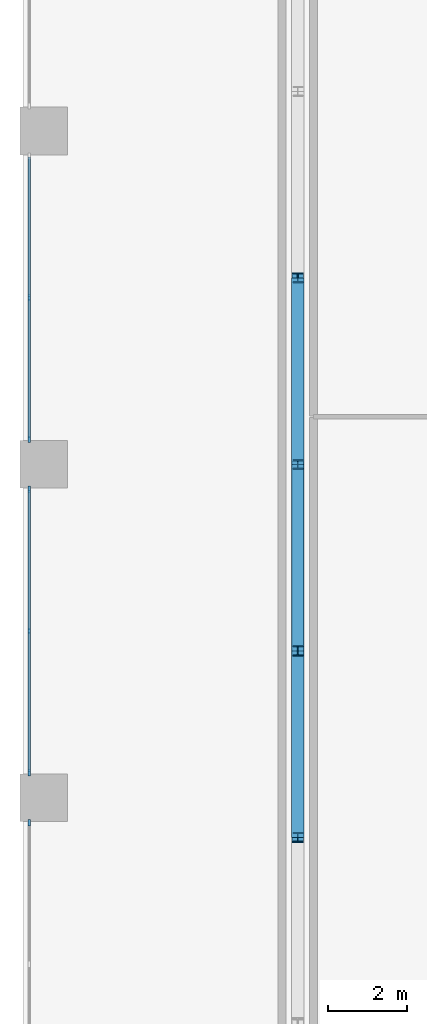
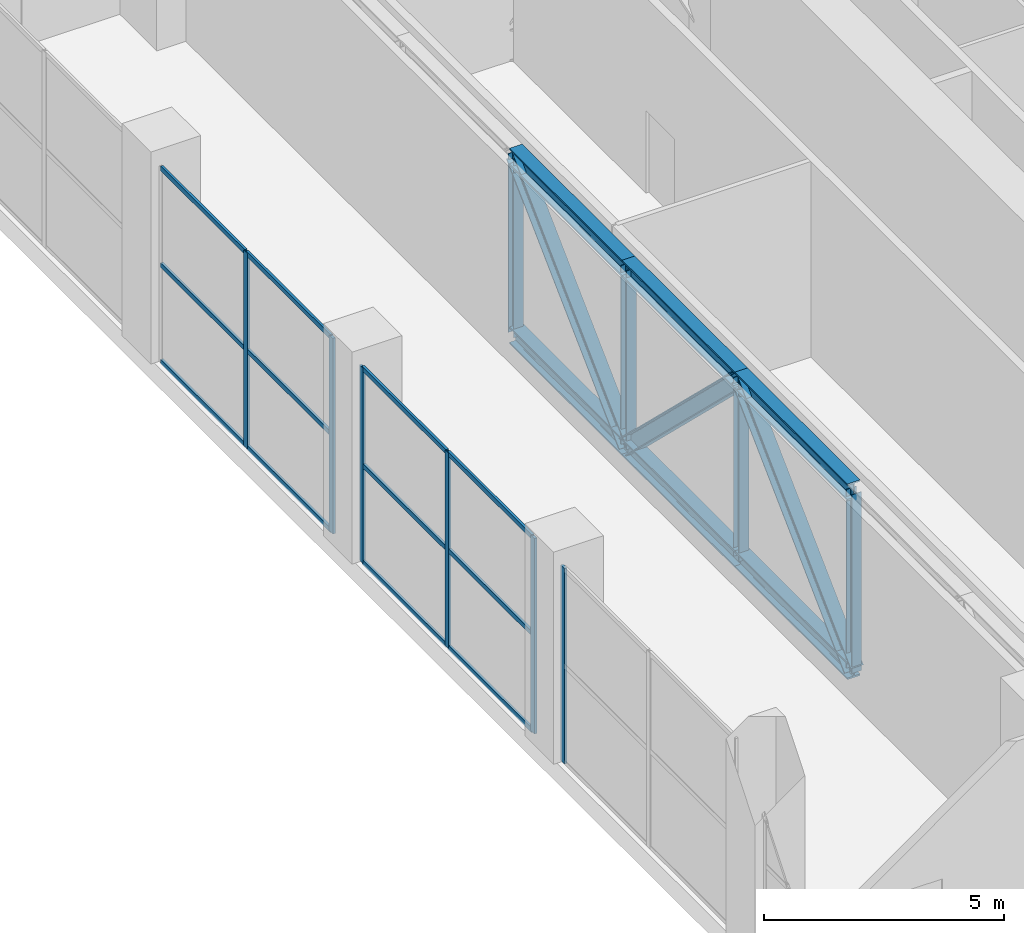
# One storey, part 4 of 21: 31 members, 3 elements without a shape of their own.
"""IFC4 building model written with IfcOpenShell, lengths in metres."""

from ifc_helpers import new_model, si_unit, direction, frame, origin, origin_2d, place, context, subcontext, project, spatial, rectangle, i_section, extrude, material, material_profile, profile_set, type_object, element, aggregate, save


model = new_model("IFC4")

# Units and contexts
model_context = context("Model", 3, precision=1e-05, world=origin(), true_north=direction((0.0, 1.0)))
body_context = subcontext(model_context, "Body", "Model", "MODEL_VIEW")
ifc_project = project(units=[si_unit("LENGTHUNIT", "METRE"), si_unit("AREAUNIT", "SQUARE_METRE"), si_unit("VOLUMEUNIT", "CUBIC_METRE"), si_unit("PLANEANGLEUNIT", "RADIAN"), si_unit("MASSUNIT", "GRAM", prefix="KILO")], contexts=[model_context])

# Site, building, storey
site_placement = place(None, origin())
site = spatial("IfcSite", under=ifc_project, at=site_placement, CompositionType="ELEMENT")
building_placement = place(site_placement, origin())
building = spatial("IfcBuilding", under=site, at=building_placement, Name="Khepri Terraces", CompositionType="ELEMENT")
storey_placement = place(building_placement, frame((0.0, 0.0, 235.199951171875)))
storey = spatial("IfcBuildingStorey", under=building, at=storey_placement, Name="L56", CompositionType="ELEMENT", Elevation=235.199951171875)

# Members
ifc_material_1 = material(Name="Steel S355", Category="steel")
ifc_material_profile_1 = material_profile(ifc_material_1, i_section(OverallWidth=0.306884765625, OverallDepth=0.431884765625, WebThickness=0.02099609375, FlangeThickness=0.0400390625, FilletRadius=0.027099609375, at=origin_2d()), Name="Steel S355", Category="steel")
ifc_profile_set_1 = profile_set([ifc_material_profile_1], Name="Steel S355")
member_type_1 = type_object("IfcMemberType", Name="Belt truss chord HEM 400", PredefinedType="CHORD", material=ifc_profile_set_1)
for number, where, z_axis, x_axis, name in (
    (1, (-18.800048828125, 4.699951171875, 0.216064453125), (0.0, -1.0, 0.0), (1.0, 0.0, 0.0), "Belt truss chord BT-56-W bottom 4"),
    (2, (-18.800048828125, 4.699951171875, 4.76416015625), (0.0, -1.0, 0.0), (1.0, 0.0, 0.0), "Belt truss chord BT-56-W top 4"),
    (3, (-18.800048828125, 0.0, 0.216064453125), (0.0, -1.0, 0.0), (1.0, 0.0, 0.0), "Belt truss chord BT-56-W bottom 5"),
    (4, (-18.800048828125, 0.0, 4.76416015625), (0.0, -1.0, 0.0), (1.0, 0.0, 0.0), "Belt truss chord BT-56-W top 5"),
    (5, (-18.800048828125, -4.699951171875, 0.216064453125), (0.0, -1.0, 0.0), (1.0, 0.0, 0.0), "Belt truss chord BT-56-W bottom 6"),
    (6, (-18.800048828125, -4.699951171875, 4.76416015625), (0.0, -1.0, 0.0), (1.0, 0.0, 0.0), "Belt truss chord BT-56-W top 6"),
):
    element("IfcMember", number, at=place(storey_placement, frame(where, z_axis=z_axis, x_axis=x_axis)), inside=storey, type_object=member_type_1, Name=name, PredefinedType="CHORD", context=body_context, shape_type="SweptSolid", body=[
        extrude(i_section(OverallWidth=0.306884765625, OverallDepth=0.431884765625, WebThickness=0.02099609375, FlangeThickness=0.0400390625, FilletRadius=0.027099609375, at=origin_2d()), origin(), (0.0, 0.0, 1.0), 4.699951171875),
    ])
ifc_material_profile_2 = material_profile(ifc_material_1, i_section(OverallWidth=0.300048828125, OverallDepth=0.39990234375, WebThickness=0.013427734375, FlangeThickness=0.02392578125, FilletRadius=0.027099609375, at=origin_2d()), Name="Steel S355", Category="steel")
ifc_profile_set_2 = profile_set([ifc_material_profile_2], Name="Steel S355")
member_type_2 = type_object("IfcMemberType", Name="Belt truss diagonal HEB 400", PredefinedType="BRACE", material=ifc_profile_set_2)
for number, where, z_axis, x_axis, name in (
    (7, (-18.800048828125, 4.699951171875, 4.76416015625), (0.0, -0.718620795984, -0.695402150974), (1.0, 0.0, 0.0), "Belt truss diagonal BT-56-W 4"),
    (8, (-18.800048828125, 0.0, 0.216064453125), (0.0, -0.718620795984, 0.695402150974), (1.0, 0.0, 0.0), "Belt truss diagonal BT-56-W 5"),
    (9, (-18.800048828125, -4.699951171875, 4.76416015625), (0.0, -0.718620795984, -0.695402150974), (1.0, 0.0, 0.0), "Belt truss diagonal BT-56-W 6"),
):
    element("IfcMember", number, at=place(storey_placement, frame(where, z_axis=z_axis, x_axis=x_axis)), inside=storey, type_object=member_type_2, Name=name, PredefinedType="BRACE", context=body_context, shape_type="SweptSolid", body=[
        extrude(i_section(OverallWidth=0.300048828125, OverallDepth=0.39990234375, WebThickness=0.013427734375, FlangeThickness=0.02392578125, FilletRadius=0.027099609375, at=origin_2d()), origin(), (0.0, 0.0, 1.0), 6.540283203125),
    ])
ifc_material_profile_3 = material_profile(ifc_material_1, i_section(OverallWidth=0.239990234375, OverallDepth=0.239990234375, WebThickness=0.010009765625, FlangeThickness=0.01708984375, FilletRadius=0.02099609375, at=origin_2d()), Name="Steel S355", Category="steel")
ifc_profile_set_3 = profile_set([ifc_material_profile_3], Name="Steel S355")
member_type_3 = type_object("IfcMemberType", Name="Belt truss post HEB 240", PredefinedType="POST", material=ifc_profile_set_3)
for number, where, z_axis, x_axis, name in (
    (10, (-18.800048828125, 4.699951171875, 0.216064453125), (0.0, 0.0, 1.0), (1.0, 0.0, 0.0), "Belt truss post BT-56-W 3"),
    (11, (-18.800048828125, 0.0, 0.216064453125), (0.0, 0.0, 1.0), (1.0, 0.0, 0.0), "Belt truss post BT-56-W 4"),
    (12, (-18.800048828125, -4.699951171875, 0.216064453125), (0.0, 0.0, 1.0), (1.0, 0.0, 0.0), "Belt truss post BT-56-W 5"),
    (13, (-18.800048828125, -9.39990234375, 0.216064453125), (0.0, 0.0, 1.0), (1.0, 0.0, 0.0), "Belt truss post BT-56-W 6"),
):
    element("IfcMember", number, at=place(storey_placement, frame(where, z_axis=z_axis, x_axis=x_axis)), inside=storey, type_object=member_type_3, Name=name, PredefinedType="POST", context=body_context, shape_type="SweptSolid", body=[
        extrude(i_section(OverallWidth=0.239990234375, OverallDepth=0.239990234375, WebThickness=0.010009765625, FlangeThickness=0.01708984375, FilletRadius=0.02099609375, at=origin_2d()), origin(), (0.0, 0.0, 1.0), 4.548095703125),
    ])

# Curtain wall, members
ifc_material_2 = material(Name="Anodised aluminium bronze curtain wall", Category="aluminium")
curtain_wall_type = type_object("IfcCurtainWallType", Name="CW-SYS3-SKY", PredefinedType="NOTDEFINED", material=ifc_material_2)
curtain_wall_1_placement = place(storey_placement, origin())
curtain_wall_1 = element("IfcCurtainWall", 14, at=curtain_wall_1_placement, inside=storey, type_object=curtain_wall_type, Name="Curtain wall CW3 L56 W", PredefinedType="NOTDEFINED")
ifc_material_3 = material(Name="Anodised aluminium bronze", Category="aluminium")
ifc_material_profile_4 = material_profile(ifc_material_3, rectangle(XDim=0.06005859375, YDim=0.159912109375, at=origin_2d()), Name="Anodised aluminium bronze", Category="aluminium")
ifc_profile_set_4 = profile_set([ifc_material_profile_4], Name="Anodised aluminium bronze")
member_type_4 = type_object("IfcMemberType", Name="CW-MULLION-60x160", PredefinedType="MULLION", material=ifc_profile_set_4)
member_1_placement = place(storey_placement, frame((-25.570068359375, 4.199951171875, 0.0), z_axis=(0.0, 0.0, 1.0), x_axis=(1.0, 0.0, 0.0)))
member_1 = element("IfcMember", 15, at=member_1_placement, type_object=member_type_4, Name="CW3 mullion 2", PredefinedType="MULLION", context=body_context, shape_type="SweptSolid", body=[
    extrude(rectangle(XDim=0.06005859375, YDim=0.159912109375, at=origin_2d()), origin(), (0.0, 0.0, 1.0), 4.97998046875),
])
member_2_placement = place(storey_placement, frame((-25.570068359375, 0.6298828125, 0.0), z_axis=(0.0, 0.0, 1.0), x_axis=(1.0, 0.0, 0.0)))
member_2 = element("IfcMember", 16, at=member_2_placement, type_object=member_type_4, Name="CW3 mullion 3", PredefinedType="MULLION", context=body_context, shape_type="SweptSolid", body=[
    extrude(rectangle(XDim=0.06005859375, YDim=0.159912109375, at=origin_2d()), origin(), (0.0, 0.0, 1.0), 4.97998046875),
])

curtain_wall_2_placement = place(storey_placement, origin())
curtain_wall_2 = element("IfcCurtainWall", 17, at=curtain_wall_2_placement, inside=storey, type_object=curtain_wall_type, Name="Curtain wall CW3 L56 W", PredefinedType="NOTDEFINED")
member_3_placement = place(storey_placement, frame((-25.570068359375, -0.6298828125, 0.0), z_axis=(0.0, 0.0, 1.0), x_axis=(1.0, 0.0, 0.0)))
member_3 = element("IfcMember", 18, at=member_3_placement, type_object=member_type_4, Name="CW3 mullion 1", PredefinedType="MULLION", context=body_context, shape_type="SweptSolid", body=[
    extrude(rectangle(XDim=0.06005859375, YDim=0.159912109375, at=origin_2d()), origin(), (0.0, 0.0, 1.0), 4.97998046875),
])
member_4_placement = place(storey_placement, frame((-25.570068359375, -4.199951171875, 0.0), z_axis=(0.0, 0.0, 1.0), x_axis=(1.0, 0.0, 0.0)))
member_4 = element("IfcMember", 19, at=member_4_placement, type_object=member_type_4, Name="CW3 mullion 2", PredefinedType="MULLION", context=body_context, shape_type="SweptSolid", body=[
    extrude(rectangle(XDim=0.06005859375, YDim=0.159912109375, at=origin_2d()), origin(), (0.0, 0.0, 1.0), 4.97998046875),
])
member_5_placement = place(storey_placement, frame((-25.570068359375, -7.77001953125, 0.0), z_axis=(0.0, 0.0, 1.0), x_axis=(1.0, 0.0, 0.0)))
member_5 = element("IfcMember", 20, at=member_5_placement, type_object=member_type_4, Name="CW3 mullion 3", PredefinedType="MULLION", context=body_context, shape_type="SweptSolid", body=[
    extrude(rectangle(XDim=0.06005859375, YDim=0.159912109375, at=origin_2d()), origin(), (0.0, 0.0, 1.0), 4.97998046875),
])

# Curtain wall, member
curtain_wall_3_placement = place(storey_placement, origin())
curtain_wall_3 = element("IfcCurtainWall", 21, at=curtain_wall_3_placement, inside=storey, type_object=curtain_wall_type, Name="Curtain wall CW3 L56 W", PredefinedType="NOTDEFINED")
member_6_placement = place(storey_placement, frame((-25.570068359375, -9.030029296875, 0.0), z_axis=(0.0, 0.0, 1.0), x_axis=(1.0, 0.0, 0.0)))
member_6 = element("IfcMember", 22, at=member_6_placement, type_object=member_type_4, Name="CW3 mullion 1", PredefinedType="MULLION", context=body_context, shape_type="SweptSolid", body=[
    extrude(rectangle(XDim=0.06005859375, YDim=0.159912109375, at=origin_2d()), origin(), (0.0, 0.0, 1.0), 4.97998046875),
])
aggregate(curtain_wall_3, [member_6])

# Member
ifc_material_profile_5 = material_profile(ifc_material_3, rectangle(XDim=0.06005859375, YDim=0.1201171875, at=origin_2d()), Name="Anodised aluminium bronze", Category="aluminium")
ifc_profile_set_5 = profile_set([ifc_material_profile_5], Name="Anodised aluminium bronze")
member_type_5 = type_object("IfcMemberType", Name="CW-TRANSOM-60x120", PredefinedType="USERDEFINED", material=ifc_profile_set_5)
member_7_placement = place(storey_placement, frame((-25.570068359375, 7.739990234375, 0.030029296875), z_axis=(0.0, -1.0, 0.0), x_axis=(1.0, 0.0, 0.0)))
member_7 = element("IfcMember", 23, at=member_7_placement, type_object=member_type_5, Name="CW3 transom 1.1", ObjectType="TRANSOM", PredefinedType="USERDEFINED", context=body_context, shape_type="SweptSolid", body=[
    extrude(rectangle(XDim=0.06005859375, YDim=0.1201171875, at=origin_2d()), origin(), (0.0, 0.0, 1.0), 3.510009765625),
])

member_8_placement = place(storey_placement, frame((-25.570068359375, 7.739990234375, 2.489990234375), z_axis=(0.0, -1.0, 0.0), x_axis=(1.0, 0.0, 0.0)))
member_8 = element("IfcMember", 24, at=member_8_placement, type_object=member_type_5, Name="CW3 transom 1.2", ObjectType="TRANSOM", PredefinedType="USERDEFINED", context=body_context, shape_type="SweptSolid", body=[
    extrude(rectangle(XDim=0.06005859375, YDim=0.1201171875, at=origin_2d()), origin(), (0.0, 0.0, 1.0), 3.510009765625),
])

member_9_placement = place(storey_placement, frame((-25.570068359375, 7.739990234375, 4.949951171875), z_axis=(0.0, -1.0, 0.0), x_axis=(1.0, 0.0, 0.0)))
member_9 = element("IfcMember", 25, at=member_9_placement, type_object=member_type_5, Name="CW3 transom 1.3", ObjectType="TRANSOM", PredefinedType="USERDEFINED", context=body_context, shape_type="SweptSolid", body=[
    extrude(rectangle(XDim=0.06005859375, YDim=0.1201171875, at=origin_2d()), origin(), (0.0, 0.0, 1.0), 3.510009765625),
])

member_10_placement = place(storey_placement, frame((-25.570068359375, 4.169921875, 0.030029296875), z_axis=(0.0, -1.0, 0.0), x_axis=(1.0, 0.0, 0.0)))
member_10 = element("IfcMember", 26, at=member_10_placement, type_object=member_type_5, Name="CW3 transom 2.1", ObjectType="TRANSOM", PredefinedType="USERDEFINED", context=body_context, shape_type="SweptSolid", body=[
    extrude(rectangle(XDim=0.06005859375, YDim=0.1201171875, at=origin_2d()), origin(), (0.0, 0.0, 1.0), 3.510009765625),
])

member_11_placement = place(storey_placement, frame((-25.570068359375, 4.169921875, 2.489990234375), z_axis=(0.0, -1.0, 0.0), x_axis=(1.0, 0.0, 0.0)))
member_11 = element("IfcMember", 27, at=member_11_placement, type_object=member_type_5, Name="CW3 transom 2.2", ObjectType="TRANSOM", PredefinedType="USERDEFINED", context=body_context, shape_type="SweptSolid", body=[
    extrude(rectangle(XDim=0.06005859375, YDim=0.1201171875, at=origin_2d()), origin(), (0.0, 0.0, 1.0), 3.510009765625),
])

member_12_placement = place(storey_placement, frame((-25.570068359375, 4.169921875, 4.949951171875), z_axis=(0.0, -1.0, 0.0), x_axis=(1.0, 0.0, 0.0)))
member_12 = element("IfcMember", 28, at=member_12_placement, type_object=member_type_5, Name="CW3 transom 2.3", ObjectType="TRANSOM", PredefinedType="USERDEFINED", context=body_context, shape_type="SweptSolid", body=[
    extrude(rectangle(XDim=0.06005859375, YDim=0.1201171875, at=origin_2d()), origin(), (0.0, 0.0, 1.0), 3.510009765625),
])

aggregate(curtain_wall_1, [member_1, member_2, member_7, member_8, member_9, member_10, member_11, member_12])

member_13_placement = place(storey_placement, frame((-25.570068359375, -0.659912109375, 0.030029296875), z_axis=(0.0, -1.0, 0.0), x_axis=(1.0, 0.0, 0.0)))
member_13 = element("IfcMember", 29, at=member_13_placement, type_object=member_type_5, Name="CW3 transom 1.1", ObjectType="TRANSOM", PredefinedType="USERDEFINED", context=body_context, shape_type="SweptSolid", body=[
    extrude(rectangle(XDim=0.06005859375, YDim=0.1201171875, at=origin_2d()), origin(), (0.0, 0.0, 1.0), 3.510009765625),
])

member_14_placement = place(storey_placement, frame((-25.570068359375, -0.659912109375, 2.489990234375), z_axis=(0.0, -1.0, 0.0), x_axis=(1.0, 0.0, 0.0)))
member_14 = element("IfcMember", 30, at=member_14_placement, type_object=member_type_5, Name="CW3 transom 1.2", ObjectType="TRANSOM", PredefinedType="USERDEFINED", context=body_context, shape_type="SweptSolid", body=[
    extrude(rectangle(XDim=0.06005859375, YDim=0.1201171875, at=origin_2d()), origin(), (0.0, 0.0, 1.0), 3.510009765625),
])

member_15_placement = place(storey_placement, frame((-25.570068359375, -0.659912109375, 4.949951171875), z_axis=(0.0, -1.0, 0.0), x_axis=(1.0, 0.0, 0.0)))
member_15 = element("IfcMember", 31, at=member_15_placement, type_object=member_type_5, Name="CW3 transom 1.3", ObjectType="TRANSOM", PredefinedType="USERDEFINED", context=body_context, shape_type="SweptSolid", body=[
    extrude(rectangle(XDim=0.06005859375, YDim=0.1201171875, at=origin_2d()), origin(), (0.0, 0.0, 1.0), 3.510009765625),
])

member_16_placement = place(storey_placement, frame((-25.570068359375, -4.22998046875, 0.030029296875), z_axis=(0.0, -1.0, 0.0), x_axis=(1.0, 0.0, 0.0)))
member_16 = element("IfcMember", 32, at=member_16_placement, type_object=member_type_5, Name="CW3 transom 2.1", ObjectType="TRANSOM", PredefinedType="USERDEFINED", context=body_context, shape_type="SweptSolid", body=[
    extrude(rectangle(XDim=0.06005859375, YDim=0.1201171875, at=origin_2d()), origin(), (0.0, 0.0, 1.0), 3.510009765625),
])

member_17_placement = place(storey_placement, frame((-25.570068359375, -4.22998046875, 2.489990234375), z_axis=(0.0, -1.0, 0.0), x_axis=(1.0, 0.0, 0.0)))
member_17 = element("IfcMember", 33, at=member_17_placement, type_object=member_type_5, Name="CW3 transom 2.2", ObjectType="TRANSOM", PredefinedType="USERDEFINED", context=body_context, shape_type="SweptSolid", body=[
    extrude(rectangle(XDim=0.06005859375, YDim=0.1201171875, at=origin_2d()), origin(), (0.0, 0.0, 1.0), 3.510009765625),
])

member_18_placement = place(storey_placement, frame((-25.570068359375, -4.22998046875, 4.949951171875), z_axis=(0.0, -1.0, 0.0), x_axis=(1.0, 0.0, 0.0)))
member_18 = element("IfcMember", 34, at=member_18_placement, type_object=member_type_5, Name="CW3 transom 2.3", ObjectType="TRANSOM", PredefinedType="USERDEFINED", context=body_context, shape_type="SweptSolid", body=[
    extrude(rectangle(XDim=0.06005859375, YDim=0.1201171875, at=origin_2d()), origin(), (0.0, 0.0, 1.0), 3.510009765625),
])

aggregate(curtain_wall_2, [member_3, member_4, member_5, member_13, member_14, member_15, member_16, member_17, member_18])

save(model, "model.ifc")
